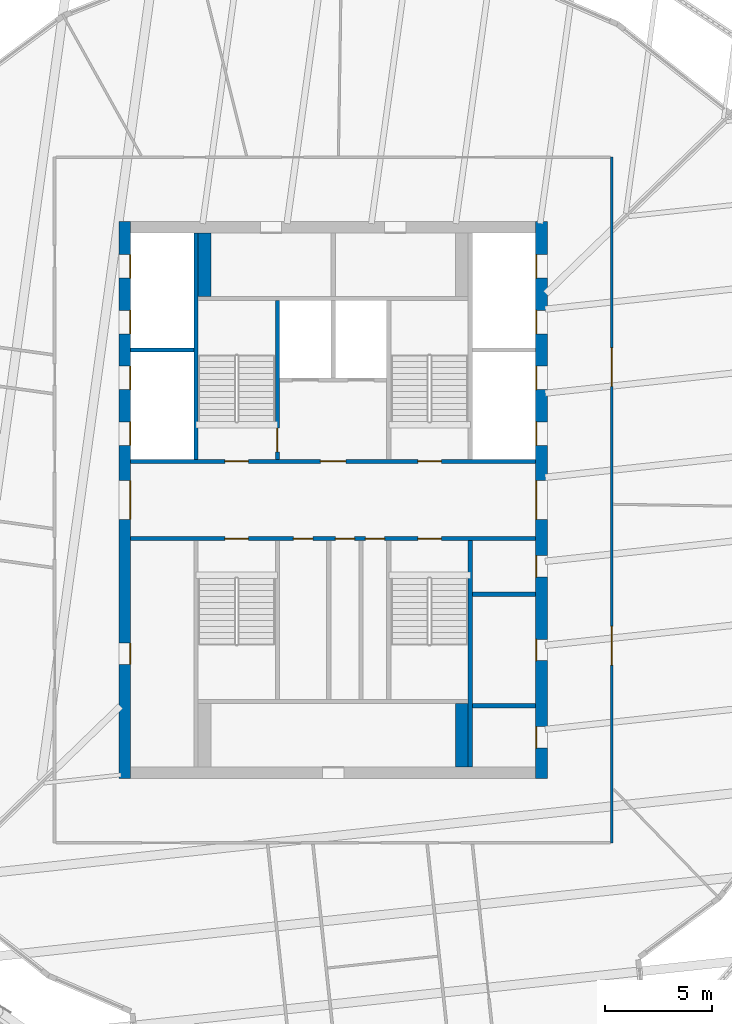
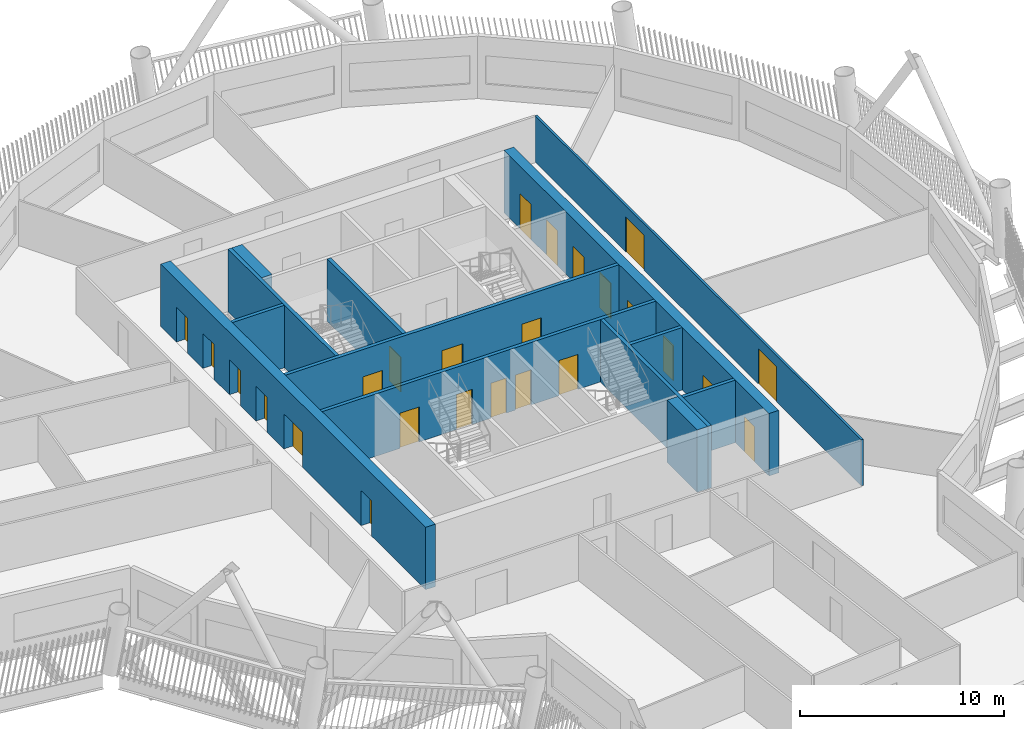
# One storey, part 5 of 21: 25 doors, 13 walls, 25 openings.
"""IFC4 building model written with IfcOpenShell, lengths in metres."""

from ifc_helpers import new_model, si_unit, direction, frame, frame_2d, origin, place, context, subcontext, project, spatial, rectangle, extrude, material, layer, layer_set, type_object, element, fill, save


model = new_model("IFC4")

# Units and contexts
model_context = context("Model", 3, precision=1e-05, world=origin(), true_north=direction((0.0, 1.0)))
body_context = subcontext(model_context, "Body", "Model", "MODEL_VIEW")
ifc_project = project(units=[si_unit("LENGTHUNIT", "METRE"), si_unit("AREAUNIT", "SQUARE_METRE"), si_unit("VOLUMEUNIT", "CUBIC_METRE"), si_unit("PLANEANGLEUNIT", "RADIAN"), si_unit("MASSUNIT", "GRAM", prefix="KILO")], contexts=[model_context])

# Site, building, storey
site_placement = place(None, origin())
site = spatial("IfcSite", under=ifc_project, at=site_placement, CompositionType="ELEMENT")
building_placement = place(site_placement, origin())
building = spatial("IfcBuilding", under=site, at=building_placement, Name="Tarsis Ring Headquarters", CompositionType="ELEMENT")
storey_placement = place(building_placement, frame((0.0, 0.0, 255.199951171875)))
storey = spatial("IfcBuildingStorey", under=building, at=storey_placement, Name="L59", CompositionType="ELEMENT", Elevation=255.199951171875)

# Walls
ifc_material_1 = material(Name="Blockwork", Category="masonry")
ifc_layer_1 = layer(ifc_material_1, 0.199951171875)
ifc_layer_set_1 = layer_set([ifc_layer_1], Name="Core blockwork wall 200")
wall_type_1 = type_object("IfcWallType", Name="Core blockwork wall 200", PredefinedType="PARTITIONING", material=ifc_layer_set_1)
for number, where, z_axis, x_axis, name in (
    (1, (6.5, -9.60009765625, 0.0), (0.0, 0.0, 1.0), (1.0, 0.0, 0.0), "Core partition ED1"),
    (2, (6.5, -4.39990234375, 0.0), (0.0, 0.0, 1.0), (1.0, 0.0, 0.0), "Core partition ED3"),
):
    element("IfcWall", number, at=place(storey_placement, frame(where, z_axis=z_axis, x_axis=x_axis)), inside=storey, type_object=wall_type_1, Name=name, PredefinedType="PARTITIONING", context=body_context, shape_type="SweptSolid", body=[
        extrude(rectangle(XDim=2.949951171875, YDim=0.199951171875, at=frame_2d((1.47509765625, 0.0))), origin(), (0.0, 0.0, 1.0), 3.739990234375),
    ])

# Wall, openings, doors
ifc_material_2 = material(Name="Concrete C50/60", Category="concrete")
ifc_layer_2 = layer(ifc_material_2, 0.550048828125)
ifc_layer_set_2 = layer_set([ifc_layer_2], Name="Core wall 550 C50/60")
wall_type_2 = type_object("IfcWallType", Name="Core wall 550 C50/60", PredefinedType="SHEAR", material=ifc_layer_set_2)
wall_1_placement = place(storey_placement, frame((-9.72509765625, -13.0, 0.0), z_axis=(0.0, 0.0, 1.0), x_axis=(0.0, 1.0, 0.0)))
wall_1 = element("IfcWall", 3, at=wall_1_placement, inside=storey, type_object=wall_type_2, Name="Core wall OW", PredefinedType="SHEAR", context=body_context, shape_type="SweptSolid", body=[
    extrude(rectangle(XDim=26.0, YDim=0.550048828125, at=frame_2d((13.0, 0.0))), origin(), (0.0, 0.0, 1.0), 3.739990234375),
])
opening_1_placement = place(wall_1_placement, frame((5.324951171875, 0.0, 0.0)))
opening_1 = element("IfcOpeningElement", 4, at=opening_1_placement, cuts=wall_1, Name="Opening L59-C01", PredefinedType="OPENING", context=body_context, shape_type="SweptSolid", body=[
    extrude(rectangle(XDim=1.0, YDim=2.10009765625, at=frame_2d((0.5, 1.050048828125))), frame((0.0, 0.284912109375, 0.0), z_axis=(0.0, -1.0, 0.0), x_axis=(1.0, 0.0, 0.0)), (0.0, 0.0, 1.0), 0.570068359375),
])
opening_2_placement = place(wall_1_placement, frame((12.10009765625, 0.0, 0.0)))
opening_2 = element("IfcOpeningElement", 5, at=opening_2_placement, cuts=wall_1, Name="Opening L59-C02", PredefinedType="OPENING", context=body_context, shape_type="SweptSolid", body=[
    extrude(rectangle(XDim=1.800048828125, YDim=2.10009765625, at=frame_2d((0.89990234375, 1.050048828125))), frame((0.0, 0.284912109375, 0.0), z_axis=(0.0, -1.0, 0.0), x_axis=(1.0, 0.0, 0.0)), (0.0, 0.0, 1.0), 0.570068359375),
])
opening_3_placement = place(wall_1_placement, frame((15.550048828125, 0.0, 0.0)))
opening_3 = element("IfcOpeningElement", 6, at=opening_3_placement, cuts=wall_1, Name="Opening LD-HR1", PredefinedType="OPENING", context=body_context, shape_type="SweptSolid", body=[
    extrude(rectangle(XDim=1.10009765625, YDim=2.10009765625, at=frame_2d((0.550048828125, 1.050048828125))), frame((0.0, 0.284912109375, 0.0), z_axis=(0.0, -1.0, 0.0), x_axis=(1.0, 0.0, 0.0)), (0.0, 0.0, 1.0), 0.570068359375),
])
opening_4_placement = place(wall_1_placement, frame((18.14990234375, 0.0, 0.0)))
opening_4 = element("IfcOpeningElement", 7, at=opening_4_placement, cuts=wall_1, Name="Opening LD-HR2", PredefinedType="OPENING", context=body_context, shape_type="SweptSolid", body=[
    extrude(rectangle(XDim=1.10009765625, YDim=2.10009765625, at=frame_2d((0.550048828125, 1.050048828125))), frame((0.0, 0.284912109375, 0.0), z_axis=(0.0, -1.0, 0.0), x_axis=(1.0, 0.0, 0.0)), (0.0, 0.0, 1.0), 0.570068359375),
])
opening_5_placement = place(wall_1_placement, frame((20.75, 0.0, 0.0)))
opening_5 = element("IfcOpeningElement", 8, at=opening_5_placement, cuts=wall_1, Name="Opening LD-HR3", PredefinedType="OPENING", context=body_context, shape_type="SweptSolid", body=[
    extrude(rectangle(XDim=1.10009765625, YDim=2.10009765625, at=frame_2d((0.550048828125, 1.050048828125))), frame((0.0, 0.284912109375, 0.0), z_axis=(0.0, -1.0, 0.0), x_axis=(1.0, 0.0, 0.0)), (0.0, 0.0, 1.0), 0.570068359375),
])
opening_6_placement = place(wall_1_placement, frame((23.35009765625, 0.0, 0.0)))
opening_6 = element("IfcOpeningElement", 9, at=opening_6_placement, cuts=wall_1, Name="Opening LD-HR4", PredefinedType="OPENING", context=body_context, shape_type="SweptSolid", body=[
    extrude(rectangle(XDim=1.10009765625, YDim=2.10009765625, at=frame_2d((0.550048828125, 1.050048828125))), frame((0.0, 0.284912109375, 0.0), z_axis=(0.0, -1.0, 0.0), x_axis=(1.0, 0.0, 0.0)), (0.0, 0.0, 1.0), 0.570068359375),
])
ifc_material_3 = material(Name="Steel S355", Category="steel")
door_type_1 = type_object("IfcDoorType", Name="Core entry door 1800x2100", OperationType="DOUBLE_DOOR_SINGLE_SWING", PredefinedType="DOOR", material=ifc_material_3)
door_1_placement = place(opening_2_placement, origin())
door_1 = element("IfcDoor", 10, at=door_1_placement, inside=storey, type_object=door_type_1, Name="Core entry door L59", OperationType="DOUBLE_DOOR_SINGLE_SWING", OverallHeight=2.10009765625, OverallWidth=1.800048828125, PredefinedType="DOOR", context=body_context, shape_type="SweptSolid", body=[
    extrude(rectangle(XDim=1.800048828125, YDim=2.10009765625, at=frame_2d((0.89990234375, 1.050048828125))), frame((0.0, -0.22509765625, 0.0), z_axis=(0.0, -1.0, 0.0), x_axis=(1.0, 0.0, 0.0)), (0.0, 0.0, 1.0), 0.050048828125),
])
fill(opening_2, door_1)
door_type_2 = type_object("IfcDoorType", Name="Core room door 1000x2100", OperationType="SINGLE_SWING_LEFT", PredefinedType="DOOR", material=ifc_material_3)
door_2_placement = place(opening_1_placement, origin())
door_2 = element("IfcDoor", 11, at=door_2_placement, inside=storey, type_object=door_type_2, Name="Core room door L59", OperationType="SINGLE_SWING_LEFT", OverallHeight=2.10009765625, OverallWidth=1.0, PredefinedType="DOOR", context=body_context, shape_type="SweptSolid", body=[
    extrude(rectangle(XDim=1.0, YDim=2.10009765625, at=frame_2d((0.5, 1.050048828125))), frame((0.0, -0.22509765625, 0.0), z_axis=(0.0, -1.0, 0.0), x_axis=(1.0, 0.0, 0.0)), (0.0, 0.0, 1.0), 0.050048828125),
])
fill(opening_1, door_2)
door_type_3 = type_object("IfcDoorType", Name="Landing door 1100x2100", OperationType="SLIDING_TO_LEFT", PredefinedType="DOOR", material=ifc_material_3)
door_3_placement = place(opening_3_placement, origin())
door_3 = element("IfcDoor", 12, at=door_3_placement, inside=storey, type_object=door_type_3, Name="Landing door HR1 L59", OperationType="SLIDING_TO_LEFT", OverallHeight=2.10009765625, OverallWidth=1.10009765625, PredefinedType="DOOR", context=body_context, shape_type="SweptSolid", body=[
    extrude(rectangle(XDim=1.10009765625, YDim=2.10009765625, at=frame_2d((0.550048828125, 1.050048828125))), frame((0.0, -0.22509765625, 0.0), z_axis=(0.0, -1.0, 0.0), x_axis=(1.0, 0.0, 0.0)), (0.0, 0.0, 1.0), 0.050048828125),
])
fill(opening_3, door_3)
door_4_placement = place(opening_4_placement, origin())
door_4 = element("IfcDoor", 13, at=door_4_placement, inside=storey, type_object=door_type_3, Name="Landing door HR2 L59", OperationType="SLIDING_TO_LEFT", OverallHeight=2.10009765625, OverallWidth=1.10009765625, PredefinedType="DOOR", context=body_context, shape_type="SweptSolid", body=[
    extrude(rectangle(XDim=1.10009765625, YDim=2.10009765625, at=frame_2d((0.550048828125, 1.050048828125))), frame((0.0, -0.22509765625, 0.0), z_axis=(0.0, -1.0, 0.0), x_axis=(1.0, 0.0, 0.0)), (0.0, 0.0, 1.0), 0.050048828125),
])
fill(opening_4, door_4)
door_5_placement = place(opening_5_placement, origin())
door_5 = element("IfcDoor", 14, at=door_5_placement, inside=storey, type_object=door_type_3, Name="Landing door HR3 L59", OperationType="SLIDING_TO_LEFT", OverallHeight=2.10009765625, OverallWidth=1.10009765625, PredefinedType="DOOR", context=body_context, shape_type="SweptSolid", body=[
    extrude(rectangle(XDim=1.10009765625, YDim=2.10009765625, at=frame_2d((0.550048828125, 1.050048828125))), frame((0.0, -0.22509765625, 0.0), z_axis=(0.0, -1.0, 0.0), x_axis=(1.0, 0.0, 0.0)), (0.0, 0.0, 1.0), 0.050048828125),
])
fill(opening_5, door_5)
door_6_placement = place(opening_6_placement, origin())
door_6 = element("IfcDoor", 15, at=door_6_placement, inside=storey, type_object=door_type_3, Name="Landing door HR4 L59", OperationType="SLIDING_TO_LEFT", OverallHeight=2.10009765625, OverallWidth=1.10009765625, PredefinedType="DOOR", context=body_context, shape_type="SweptSolid", body=[
    extrude(rectangle(XDim=1.10009765625, YDim=2.10009765625, at=frame_2d((0.550048828125, 1.050048828125))), frame((0.0, -0.22509765625, 0.0), z_axis=(0.0, -1.0, 0.0), x_axis=(1.0, 0.0, 0.0)), (0.0, 0.0, 1.0), 0.050048828125),
])
fill(opening_6, door_6)

wall_2_placement = place(storey_placement, frame((9.72509765625, -13.0, 0.0), z_axis=(0.0, 0.0, 1.0), x_axis=(0.0, 1.0, 0.0)))
wall_2 = element("IfcWall", 16, at=wall_2_placement, inside=storey, type_object=wall_type_2, Name="Core wall OE", PredefinedType="SHEAR", context=body_context, shape_type="SweptSolid", body=[
    extrude(rectangle(XDim=26.0, YDim=0.550048828125, at=frame_2d((13.0, 0.0))), origin(), (0.0, 0.0, 1.0), 3.739990234375),
])
opening_7_placement = place(wall_2_placement, frame((1.425048828125, 0.0, 0.0)))
opening_7 = element("IfcOpeningElement", 17, at=opening_7_placement, cuts=wall_2, Name="Opening L59-C07", PredefinedType="OPENING", context=body_context, shape_type="SweptSolid", body=[
    extrude(rectangle(XDim=1.0, YDim=2.10009765625, at=frame_2d((0.5, 1.050048828125))), frame((0.0, 0.284912109375, 0.0), z_axis=(0.0, -1.0, 0.0), x_axis=(1.0, 0.0, 0.0)), (0.0, 0.0, 1.0), 0.570068359375),
])
opening_8_placement = place(wall_2_placement, frame((5.5, 0.0, 0.0)))
opening_8 = element("IfcOpeningElement", 18, at=opening_8_placement, cuts=wall_2, Name="Opening L59-C08", PredefinedType="OPENING", context=body_context, shape_type="SweptSolid", body=[
    extrude(rectangle(XDim=1.0, YDim=2.10009765625, at=frame_2d((0.5, 1.050048828125))), frame((0.0, 0.284912109375, 0.0), z_axis=(0.0, -1.0, 0.0), x_axis=(1.0, 0.0, 0.0)), (0.0, 0.0, 1.0), 0.570068359375),
])
opening_9_placement = place(wall_2_placement, frame((9.39990234375, 0.0, 0.0)))
opening_9 = element("IfcOpeningElement", 19, at=opening_9_placement, cuts=wall_2, Name="Opening L59-C09", PredefinedType="OPENING", context=body_context, shape_type="SweptSolid", body=[
    extrude(rectangle(XDim=1.0, YDim=2.10009765625, at=frame_2d((0.5, 1.050048828125))), frame((0.0, 0.284912109375, 0.0), z_axis=(0.0, -1.0, 0.0), x_axis=(1.0, 0.0, 0.0)), (0.0, 0.0, 1.0), 0.570068359375),
])
opening_10_placement = place(wall_2_placement, frame((12.10009765625, 0.0, 0.0)))
opening_10 = element("IfcOpeningElement", 20, at=opening_10_placement, cuts=wall_2, Name="Opening L59-C10", PredefinedType="OPENING", context=body_context, shape_type="SweptSolid", body=[
    extrude(rectangle(XDim=1.800048828125, YDim=2.10009765625, at=frame_2d((0.89990234375, 1.050048828125))), frame((0.0, 0.284912109375, 0.0), z_axis=(0.0, -1.0, 0.0), x_axis=(1.0, 0.0, 0.0)), (0.0, 0.0, 1.0), 0.570068359375),
])
opening_11_placement = place(wall_2_placement, frame((15.550048828125, 0.0, 0.0)))
opening_11 = element("IfcOpeningElement", 21, at=opening_11_placement, cuts=wall_2, Name="Opening LD-HR5", PredefinedType="OPENING", context=body_context, shape_type="SweptSolid", body=[
    extrude(rectangle(XDim=1.10009765625, YDim=2.10009765625, at=frame_2d((0.550048828125, 1.050048828125))), frame((0.0, 0.284912109375, 0.0), z_axis=(0.0, -1.0, 0.0), x_axis=(1.0, 0.0, 0.0)), (0.0, 0.0, 1.0), 0.570068359375),
])
opening_12_placement = place(wall_2_placement, frame((18.14990234375, 0.0, 0.0)))
opening_12 = element("IfcOpeningElement", 22, at=opening_12_placement, cuts=wall_2, Name="Opening LD-HR6", PredefinedType="OPENING", context=body_context, shape_type="SweptSolid", body=[
    extrude(rectangle(XDim=1.10009765625, YDim=2.10009765625, at=frame_2d((0.550048828125, 1.050048828125))), frame((0.0, 0.284912109375, 0.0), z_axis=(0.0, -1.0, 0.0), x_axis=(1.0, 0.0, 0.0)), (0.0, 0.0, 1.0), 0.570068359375),
])
opening_13_placement = place(wall_2_placement, frame((20.75, 0.0, 0.0)))
opening_13 = element("IfcOpeningElement", 23, at=opening_13_placement, cuts=wall_2, Name="Opening LD-HR7", PredefinedType="OPENING", context=body_context, shape_type="SweptSolid", body=[
    extrude(rectangle(XDim=1.10009765625, YDim=2.10009765625, at=frame_2d((0.550048828125, 1.050048828125))), frame((0.0, 0.284912109375, 0.0), z_axis=(0.0, -1.0, 0.0), x_axis=(1.0, 0.0, 0.0)), (0.0, 0.0, 1.0), 0.570068359375),
])
opening_14_placement = place(wall_2_placement, frame((23.35009765625, 0.0, 0.0)))
opening_14 = element("IfcOpeningElement", 24, at=opening_14_placement, cuts=wall_2, Name="Opening LD-HR8", PredefinedType="OPENING", context=body_context, shape_type="SweptSolid", body=[
    extrude(rectangle(XDim=1.10009765625, YDim=2.10009765625, at=frame_2d((0.550048828125, 1.050048828125))), frame((0.0, 0.284912109375, 0.0), z_axis=(0.0, -1.0, 0.0), x_axis=(1.0, 0.0, 0.0)), (0.0, 0.0, 1.0), 0.570068359375),
])
door_7_placement = place(opening_10_placement, origin())
door_7 = element("IfcDoor", 25, at=door_7_placement, inside=storey, type_object=door_type_1, Name="Core entry door L59", OperationType="DOUBLE_DOOR_SINGLE_SWING", OverallHeight=2.10009765625, OverallWidth=1.800048828125, PredefinedType="DOOR", context=body_context, shape_type="SweptSolid", body=[
    extrude(rectangle(XDim=1.800048828125, YDim=2.10009765625, at=frame_2d((0.89990234375, 1.050048828125))), frame((0.0, 0.27490234375, 0.0), z_axis=(0.0, -1.0, 0.0), x_axis=(1.0, 0.0, 0.0)), (0.0, 0.0, 1.0), 0.050048828125),
])
fill(opening_10, door_7)
door_8_placement = place(opening_7_placement, origin())
door_8 = element("IfcDoor", 26, at=door_8_placement, inside=storey, type_object=door_type_2, Name="Core room door L59", OperationType="SINGLE_SWING_LEFT", OverallHeight=2.10009765625, OverallWidth=1.0, PredefinedType="DOOR", context=body_context, shape_type="SweptSolid", body=[
    extrude(rectangle(XDim=1.0, YDim=2.10009765625, at=frame_2d((0.5, 1.050048828125))), frame((0.0, 0.27490234375, 0.0), z_axis=(0.0, -1.0, 0.0), x_axis=(1.0, 0.0, 0.0)), (0.0, 0.0, 1.0), 0.050048828125),
])
fill(opening_7, door_8)
door_9_placement = place(opening_8_placement, origin())
door_9 = element("IfcDoor", 27, at=door_9_placement, inside=storey, type_object=door_type_2, Name="Core room door L59", OperationType="SINGLE_SWING_LEFT", OverallHeight=2.10009765625, OverallWidth=1.0, PredefinedType="DOOR", context=body_context, shape_type="SweptSolid", body=[
    extrude(rectangle(XDim=1.0, YDim=2.10009765625, at=frame_2d((0.5, 1.050048828125))), frame((0.0, 0.27490234375, 0.0), z_axis=(0.0, -1.0, 0.0), x_axis=(1.0, 0.0, 0.0)), (0.0, 0.0, 1.0), 0.050048828125),
])
fill(opening_8, door_9)
door_10_placement = place(opening_9_placement, origin())
door_10 = element("IfcDoor", 28, at=door_10_placement, inside=storey, type_object=door_type_2, Name="Core room door L59", OperationType="SINGLE_SWING_LEFT", OverallHeight=2.10009765625, OverallWidth=1.0, PredefinedType="DOOR", context=body_context, shape_type="SweptSolid", body=[
    extrude(rectangle(XDim=1.0, YDim=2.10009765625, at=frame_2d((0.5, 1.050048828125))), frame((0.0, 0.27490234375, 0.0), z_axis=(0.0, -1.0, 0.0), x_axis=(1.0, 0.0, 0.0)), (0.0, 0.0, 1.0), 0.050048828125),
])
fill(opening_9, door_10)
door_11_placement = place(opening_11_placement, origin())
door_11 = element("IfcDoor", 29, at=door_11_placement, inside=storey, type_object=door_type_3, Name="Landing door HR5 L59", OperationType="SLIDING_TO_LEFT", OverallHeight=2.10009765625, OverallWidth=1.10009765625, PredefinedType="DOOR", context=body_context, shape_type="SweptSolid", body=[
    extrude(rectangle(XDim=1.10009765625, YDim=2.10009765625, at=frame_2d((0.550048828125, 1.050048828125))), frame((0.0, 0.27490234375, 0.0), z_axis=(0.0, -1.0, 0.0), x_axis=(1.0, 0.0, 0.0)), (0.0, 0.0, 1.0), 0.050048828125),
])
fill(opening_11, door_11)
door_12_placement = place(opening_12_placement, origin())
door_12 = element("IfcDoor", 30, at=door_12_placement, inside=storey, type_object=door_type_3, Name="Landing door HR6 L59", OperationType="SLIDING_TO_LEFT", OverallHeight=2.10009765625, OverallWidth=1.10009765625, PredefinedType="DOOR", context=body_context, shape_type="SweptSolid", body=[
    extrude(rectangle(XDim=1.10009765625, YDim=2.10009765625, at=frame_2d((0.550048828125, 1.050048828125))), frame((0.0, 0.27490234375, 0.0), z_axis=(0.0, -1.0, 0.0), x_axis=(1.0, 0.0, 0.0)), (0.0, 0.0, 1.0), 0.050048828125),
])
fill(opening_12, door_12)
door_13_placement = place(opening_13_placement, origin())
door_13 = element("IfcDoor", 31, at=door_13_placement, inside=storey, type_object=door_type_3, Name="Landing door HR7 L59", OperationType="SLIDING_TO_LEFT", OverallHeight=2.10009765625, OverallWidth=1.10009765625, PredefinedType="DOOR", context=body_context, shape_type="SweptSolid", body=[
    extrude(rectangle(XDim=1.10009765625, YDim=2.10009765625, at=frame_2d((0.550048828125, 1.050048828125))), frame((0.0, 0.27490234375, 0.0), z_axis=(0.0, -1.0, 0.0), x_axis=(1.0, 0.0, 0.0)), (0.0, 0.0, 1.0), 0.050048828125),
])
fill(opening_13, door_13)
door_14_placement = place(opening_14_placement, origin())
door_14 = element("IfcDoor", 32, at=door_14_placement, inside=storey, type_object=door_type_3, Name="Landing door HR8 L59", OperationType="SLIDING_TO_LEFT", OverallHeight=2.10009765625, OverallWidth=1.10009765625, PredefinedType="DOOR", context=body_context, shape_type="SweptSolid", body=[
    extrude(rectangle(XDim=1.10009765625, YDim=2.10009765625, at=frame_2d((0.550048828125, 1.050048828125))), frame((0.0, 0.27490234375, 0.0), z_axis=(0.0, -1.0, 0.0), x_axis=(1.0, 0.0, 0.0)), (0.0, 0.0, 1.0), 0.050048828125),
])
fill(opening_14, door_14)

ifc_material_4 = material(Name="Gypsum board on steel studs", Category="steel")
ifc_layer_3 = layer(ifc_material_4, 0.125)
ifc_layer_set_3 = layer_set([ifc_layer_3], Name="FL partition 125 EI 60 H2770")
wall_type_3 = type_object("IfcWallType", Name="FL partition 125 EI 60 H2770", PredefinedType="PARTITIONING", material=ifc_layer_set_3)
wall_3_placement = place(storey_placement, frame((13.0, -16.0, 0.0), z_axis=(0.0, 0.0, 1.0), x_axis=(0.0, 1.0, 0.0)))
wall_3 = element("IfcWall", 33, at=wall_3_placement, inside=storey, type_object=wall_type_3, Name="Partition PW1", PredefinedType="PARTITIONING", context=body_context, shape_type="SweptSolid", body=[
    extrude(rectangle(XDim=32.0, YDim=0.125, at=frame_2d((16.0, 0.0))), origin(), (0.0, 0.0, 1.0), 2.77001953125),
])
opening_15_placement = place(wall_3_placement, frame((21.303466796875, 0.0, 0.0)))
opening_15 = element("IfcOpeningElement", 34, at=opening_15_placement, cuts=wall_3, Name="Opening D59.07", PredefinedType="OPENING", context=body_context, shape_type="SweptSolid", body=[
    extrude(rectangle(XDim=1.800048828125, YDim=2.10009765625, at=frame_2d((0.89990234375, 1.050048828125))), frame((0.0, 0.072509765625, 0.0), z_axis=(0.0, -1.0, 0.0), x_axis=(1.0, 0.0, 0.0)), (0.0, 0.0, 1.0), 0.14501953125),
])
opening_16_placement = place(wall_3_placement, frame((8.29736328125, 0.0, 0.0)))
opening_16 = element("IfcOpeningElement", 35, at=opening_16_placement, cuts=wall_3, Name="Opening D59.08", PredefinedType="OPENING", context=body_context, shape_type="SweptSolid", body=[
    extrude(rectangle(XDim=1.800048828125, YDim=2.10009765625, at=frame_2d((0.89990234375, 1.050048828125))), frame((0.0, 0.072509765625, 0.0), z_axis=(0.0, -1.0, 0.0), x_axis=(1.0, 0.0, 0.0)), (0.0, 0.0, 1.0), 0.14501953125),
])
ifc_material_5 = material(Name="Fire-rated timber door leaf in steel frame", Category="steel")
door_type_4 = type_object("IfcDoorType", Name="FL door FD60-1800", OperationType="DOUBLE_DOOR_SINGLE_SWING", PredefinedType="DOOR", material=ifc_material_5)
door_15_placement = place(opening_15_placement, origin())
door_15 = element("IfcDoor", 36, at=door_15_placement, inside=storey, type_object=door_type_4, Name="Door D59.07", OperationType="DOUBLE_DOOR_SINGLE_SWING", OverallHeight=2.10009765625, OverallWidth=1.800048828125, PredefinedType="DOOR", context=body_context, shape_type="SweptSolid", body=[
    extrude(rectangle(XDim=1.800048828125, YDim=2.10009765625, at=frame_2d((0.89990234375, 1.050048828125))), frame((0.0, 0.02490234375, 0.0), z_axis=(0.0, -1.0, 0.0), x_axis=(1.0, 0.0, 0.0)), (0.0, 0.0, 1.0), 0.050048828125),
])
fill(opening_15, door_15)
door_16_placement = place(opening_16_placement, origin())
door_16 = element("IfcDoor", 37, at=door_16_placement, inside=storey, type_object=door_type_4, Name="Door D59.08", OperationType="DOUBLE_DOOR_SINGLE_SWING", OverallHeight=2.10009765625, OverallWidth=1.800048828125, PredefinedType="DOOR", context=body_context, shape_type="SweptSolid", body=[
    extrude(rectangle(XDim=1.800048828125, YDim=2.10009765625, at=frame_2d((0.89990234375, 1.050048828125))), frame((0.0, 0.02490234375, 0.0), z_axis=(0.0, -1.0, 0.0), x_axis=(1.0, 0.0, 0.0)), (0.0, 0.0, 1.0), 0.050048828125),
])
fill(opening_16, door_16)

# Walls
ifc_material_6 = material(Name="Concrete C32/40", Category="concrete")
ifc_layer_4 = layer(ifc_material_6, 0.60009765625)
ifc_layer_set_4 = layer_set([ifc_layer_4], Name="Shaft end wall 600 C32/40")
wall_type_4 = type_object("IfcWallType", Name="Shaft end wall 600 C32/40", PredefinedType="SOLIDWALL", material=ifc_layer_set_4)
for number, where, z_axis, x_axis, name in (
    (38, (-6.0, 9.5, 0.0), (0.0, 0.0, 1.0), (0.0, 1.0, 0.0), "Core shaft wall NNE1"),
    (39, (6.0, -12.449951171875, 0.0), (0.0, 0.0, 1.0), (0.0, 1.0, 0.0), "Core shaft wall SNE2"),
):
    element("IfcWall", number, at=place(storey_placement, frame(where, z_axis=z_axis, x_axis=x_axis)), inside=storey, type_object=wall_type_4, Name=name, PredefinedType="SOLIDWALL", context=body_context, shape_type="SweptSolid", body=[
        extrude(rectangle(XDim=2.949951171875, YDim=0.60009765625, at=frame_2d((1.47509765625, 0.0))), origin(), (0.0, 0.0, 1.0), 3.739990234375),
    ])

# Wall, openings, doors
ifc_layer_5 = layer(ifc_material_6, 0.199951171875)
ifc_layer_set_5 = layer_set([ifc_layer_5], Name="Shaft wall 200 C32/40")
wall_type_5 = type_object("IfcWallType", Name="Shaft wall 200 C32/40", PredefinedType="SOLIDWALL", material=ifc_layer_set_5)
wall_4_placement = place(storey_placement, frame((-9.449951171875, 1.800048828125, 0.0), z_axis=(0.0, 0.0, 1.0), x_axis=(1.0, 0.0, 0.0)))
wall_4 = element("IfcWall", 40, at=wall_4_placement, inside=storey, type_object=wall_type_5, Name="Core shaft wall CN", PredefinedType="SOLIDWALL", context=body_context, shape_type="SweptSolid", body=[
    extrude(rectangle(XDim=18.89990234375, YDim=0.199951171875, at=frame_2d((9.449951171875, 0.0))), origin(), (0.0, 0.0, 1.0), 3.739990234375),
])
opening_17_placement = place(wall_4_placement, frame((4.39990234375, 0.0, 0.0)))
opening_17 = element("IfcOpeningElement", 41, at=opening_17_placement, cuts=wall_4, Name="Opening L59-C18", PredefinedType="OPENING", context=body_context, shape_type="SweptSolid", body=[
    extrude(rectangle(XDim=1.10009765625, YDim=2.10009765625, at=frame_2d((0.550048828125, 1.050048828125))), frame((0.0, 0.10986328125, 0.0), z_axis=(0.0, -1.0, 0.0), x_axis=(1.0, 0.0, 0.0)), (0.0, 0.0, 1.0), 0.219970703125),
])
opening_18_placement = place(wall_4_placement, frame((8.85009765625, 0.0, 0.0)))
opening_18 = element("IfcOpeningElement", 42, at=opening_18_placement, cuts=wall_4, Name="Opening L59-C19", PredefinedType="OPENING", context=body_context, shape_type="SweptSolid", body=[
    extrude(rectangle(XDim=1.199951171875, YDim=2.10009765625, at=frame_2d((0.60009765625, 1.050048828125))), frame((0.0, 0.10986328125, 0.0), z_axis=(0.0, -1.0, 0.0), x_axis=(1.0, 0.0, 0.0)), (0.0, 0.0, 1.0), 0.219970703125),
])
opening_19_placement = place(wall_4_placement, frame((13.39990234375, 0.0, 0.0)))
opening_19 = element("IfcOpeningElement", 43, at=opening_19_placement, cuts=wall_4, Name="Opening L59-C20", PredefinedType="OPENING", context=body_context, shape_type="SweptSolid", body=[
    extrude(rectangle(XDim=1.10009765625, YDim=2.10009765625, at=frame_2d((0.550048828125, 1.050048828125))), frame((0.0, 0.10986328125, 0.0), z_axis=(0.0, -1.0, 0.0), x_axis=(1.0, 0.0, 0.0)), (0.0, 0.0, 1.0), 0.219970703125),
])
door_type_5 = type_object("IfcDoorType", Name="Firefighting lobby door 1200x2100", OperationType="DOUBLE_DOOR_SINGLE_SWING", PredefinedType="DOOR", material=ifc_material_3)
door_17_placement = place(opening_18_placement, origin())
door_17 = element("IfcDoor", 44, at=door_17_placement, inside=storey, type_object=door_type_5, Name="Firefighting lobby door L59", OperationType="DOUBLE_DOOR_SINGLE_SWING", OverallHeight=2.10009765625, OverallWidth=1.199951171875, PredefinedType="DOOR", context=body_context, shape_type="SweptSolid", body=[
    extrude(rectangle(XDim=1.199951171875, YDim=2.10009765625, at=frame_2d((0.60009765625, 1.050048828125))), frame((0.0, 0.02490234375, 0.0), z_axis=(0.0, -1.0, 0.0), x_axis=(1.0, 0.0, 0.0)), (0.0, 0.0, 1.0), 0.050048828125),
])
fill(opening_18, door_17)
door_type_6 = type_object("IfcDoorType", Name="Stair door 1100x2100", OperationType="SINGLE_SWING_LEFT", PredefinedType="DOOR", material=ifc_material_3)
door_18_placement = place(opening_17_placement, origin())
door_18 = element("IfcDoor", 45, at=door_18_placement, inside=storey, type_object=door_type_6, Name="Stair door L59", OperationType="SINGLE_SWING_LEFT", OverallHeight=2.10009765625, OverallWidth=1.10009765625, PredefinedType="DOOR", context=body_context, shape_type="SweptSolid", body=[
    extrude(rectangle(XDim=1.10009765625, YDim=2.10009765625, at=frame_2d((0.550048828125, 1.050048828125))), frame((0.0, 0.02490234375, 0.0), z_axis=(0.0, -1.0, 0.0), x_axis=(1.0, 0.0, 0.0)), (0.0, 0.0, 1.0), 0.050048828125),
])
fill(opening_17, door_18)
door_19_placement = place(opening_19_placement, origin())
door_19 = element("IfcDoor", 46, at=door_19_placement, inside=storey, type_object=door_type_6, Name="Stair door L59", OperationType="SINGLE_SWING_LEFT", OverallHeight=2.10009765625, OverallWidth=1.10009765625, PredefinedType="DOOR", context=body_context, shape_type="SweptSolid", body=[
    extrude(rectangle(XDim=1.10009765625, YDim=2.10009765625, at=frame_2d((0.550048828125, 1.050048828125))), frame((0.0, 0.02490234375, 0.0), z_axis=(0.0, -1.0, 0.0), x_axis=(1.0, 0.0, 0.0)), (0.0, 0.0, 1.0), 0.050048828125),
])
fill(opening_19, door_19)

wall_5_placement = place(storey_placement, frame((-9.449951171875, -1.800048828125, 0.0), z_axis=(0.0, 0.0, 1.0), x_axis=(1.0, 0.0, 0.0)))
wall_5 = element("IfcWall", 47, at=wall_5_placement, inside=storey, type_object=wall_type_5, Name="Core shaft wall CS", PredefinedType="SOLIDWALL", context=body_context, shape_type="SweptSolid", body=[
    extrude(rectangle(XDim=18.89990234375, YDim=0.199951171875, at=frame_2d((9.449951171875, 0.0))), origin(), (0.0, 0.0, 1.0), 3.739990234375),
])
opening_20_placement = place(wall_5_placement, frame((4.39990234375, 0.0, 0.0)))
opening_20 = element("IfcOpeningElement", 48, at=opening_20_placement, cuts=wall_5, Name="Opening L59-C21", PredefinedType="OPENING", context=body_context, shape_type="SweptSolid", body=[
    extrude(rectangle(XDim=1.10009765625, YDim=2.10009765625, at=frame_2d((0.550048828125, 1.050048828125))), frame((0.0, 0.10986328125, 0.0), z_axis=(0.0, -1.0, 0.0), x_axis=(1.0, 0.0, 0.0)), (0.0, 0.0, 1.0), 0.219970703125),
])
opening_21_placement = place(wall_5_placement, frame((7.60009765625, 0.0, 0.0)))
opening_21 = element("IfcOpeningElement", 49, at=opening_21_placement, cuts=wall_5, Name="Opening L59-C22", PredefinedType="OPENING", context=body_context, shape_type="SweptSolid", body=[
    extrude(rectangle(XDim=0.89990234375, YDim=2.10009765625, at=frame_2d((0.449951171875, 1.050048828125))), frame((0.0, 0.10986328125, 0.0), z_axis=(0.0, -1.0, 0.0), x_axis=(1.0, 0.0, 0.0)), (0.0, 0.0, 1.0), 0.219970703125),
])
opening_22_placement = place(wall_5_placement, frame((9.550048828125, 0.0, 0.0)))
opening_22 = element("IfcOpeningElement", 50, at=opening_22_placement, cuts=wall_5, Name="Opening L59-C23", PredefinedType="OPENING", context=body_context, shape_type="SweptSolid", body=[
    extrude(rectangle(XDim=0.89990234375, YDim=2.10009765625, at=frame_2d((0.449951171875, 1.050048828125))), frame((0.0, 0.10986328125, 0.0), z_axis=(0.0, -1.0, 0.0), x_axis=(1.0, 0.0, 0.0)), (0.0, 0.0, 1.0), 0.219970703125),
])
opening_23_placement = place(wall_5_placement, frame((10.949951171875, 0.0, 0.0)))
opening_23 = element("IfcOpeningElement", 51, at=opening_23_placement, cuts=wall_5, Name="Opening L59-C24", PredefinedType="OPENING", context=body_context, shape_type="SweptSolid", body=[
    extrude(rectangle(XDim=0.89990234375, YDim=2.10009765625, at=frame_2d((0.449951171875, 1.050048828125))), frame((0.0, 0.10986328125, 0.0), z_axis=(0.0, -1.0, 0.0), x_axis=(1.0, 0.0, 0.0)), (0.0, 0.0, 1.0), 0.219970703125),
])
opening_24_placement = place(wall_5_placement, frame((13.39990234375, 0.0, 0.0)))
opening_24 = element("IfcOpeningElement", 52, at=opening_24_placement, cuts=wall_5, Name="Opening L59-C25", PredefinedType="OPENING", context=body_context, shape_type="SweptSolid", body=[
    extrude(rectangle(XDim=1.10009765625, YDim=2.10009765625, at=frame_2d((0.550048828125, 1.050048828125))), frame((0.0, 0.10986328125, 0.0), z_axis=(0.0, -1.0, 0.0), x_axis=(1.0, 0.0, 0.0)), (0.0, 0.0, 1.0), 0.219970703125),
])
door_20_placement = place(opening_20_placement, origin())
door_20 = element("IfcDoor", 53, at=door_20_placement, inside=storey, type_object=door_type_6, Name="Stair door L59", OperationType="SINGLE_SWING_LEFT", OverallHeight=2.10009765625, OverallWidth=1.10009765625, PredefinedType="DOOR", context=body_context, shape_type="SweptSolid", body=[
    extrude(rectangle(XDim=1.10009765625, YDim=2.10009765625, at=frame_2d((0.550048828125, 1.050048828125))), frame((0.0, 0.02490234375, 0.0), z_axis=(0.0, -1.0, 0.0), x_axis=(1.0, 0.0, 0.0)), (0.0, 0.0, 1.0), 0.050048828125),
])
fill(opening_20, door_20)
door_21_placement = place(opening_24_placement, origin())
door_21 = element("IfcDoor", 54, at=door_21_placement, inside=storey, type_object=door_type_6, Name="Stair door L59", OperationType="SINGLE_SWING_LEFT", OverallHeight=2.10009765625, OverallWidth=1.10009765625, PredefinedType="DOOR", context=body_context, shape_type="SweptSolid", body=[
    extrude(rectangle(XDim=1.10009765625, YDim=2.10009765625, at=frame_2d((0.550048828125, 1.050048828125))), frame((0.0, 0.02490234375, 0.0), z_axis=(0.0, -1.0, 0.0), x_axis=(1.0, 0.0, 0.0)), (0.0, 0.0, 1.0), 0.050048828125),
])
fill(opening_24, door_21)
door_type_7 = type_object("IfcDoorType", Name="WC door 900x2100", OperationType="SINGLE_SWING_LEFT", PredefinedType="DOOR", material=ifc_material_3)
door_22_placement = place(opening_21_placement, origin())
door_22 = element("IfcDoor", 55, at=door_22_placement, inside=storey, type_object=door_type_7, Name="WC door L59", OperationType="SINGLE_SWING_LEFT", OverallHeight=2.10009765625, OverallWidth=0.89990234375, PredefinedType="DOOR", context=body_context, shape_type="SweptSolid", body=[
    extrude(rectangle(XDim=0.89990234375, YDim=2.10009765625, at=frame_2d((0.449951171875, 1.050048828125))), frame((0.0, 0.02490234375, 0.0), z_axis=(0.0, -1.0, 0.0), x_axis=(1.0, 0.0, 0.0)), (0.0, 0.0, 1.0), 0.050048828125),
])
fill(opening_21, door_22)
door_23_placement = place(opening_22_placement, origin())
door_23 = element("IfcDoor", 56, at=door_23_placement, inside=storey, type_object=door_type_7, Name="WC door L59", OperationType="SINGLE_SWING_LEFT", OverallHeight=2.10009765625, OverallWidth=0.89990234375, PredefinedType="DOOR", context=body_context, shape_type="SweptSolid", body=[
    extrude(rectangle(XDim=0.89990234375, YDim=2.10009765625, at=frame_2d((0.449951171875, 1.050048828125))), frame((0.0, 0.02490234375, 0.0), z_axis=(0.0, -1.0, 0.0), x_axis=(1.0, 0.0, 0.0)), (0.0, 0.0, 1.0), 0.050048828125),
])
fill(opening_22, door_23)
door_24_placement = place(opening_23_placement, origin())
door_24 = element("IfcDoor", 57, at=door_24_placement, inside=storey, type_object=door_type_7, Name="WC door L59", OperationType="SINGLE_SWING_LEFT", OverallHeight=2.10009765625, OverallWidth=0.89990234375, PredefinedType="DOOR", context=body_context, shape_type="SweptSolid", body=[
    extrude(rectangle(XDim=0.89990234375, YDim=2.10009765625, at=frame_2d((0.449951171875, 1.050048828125))), frame((0.0, 0.02490234375, 0.0), z_axis=(0.0, -1.0, 0.0), x_axis=(1.0, 0.0, 0.0)), (0.0, 0.0, 1.0), 0.050048828125),
])
fill(opening_23, door_24)

# Walls
for number, where, z_axis, x_axis, name in (
    (58, (-6.39990234375, 1.89990234375, 0.0), (0.0, 0.0, 1.0), (0.0, 1.0, 0.0), "Core shaft wall WB2"),
    (59, (6.39990234375, -12.449951171875, 0.0), (0.0, 0.0, 1.0), (0.0, 1.0, 0.0), "Core shaft wall EB1"),
):
    element("IfcWall", number, at=place(storey_placement, frame(where, z_axis=z_axis, x_axis=x_axis)), inside=storey, type_object=wall_type_5, Name=name, PredefinedType="SOLIDWALL", context=body_context, shape_type="SweptSolid", body=[
        extrude(rectangle(XDim=10.550048828125, YDim=0.199951171875, at=frame_2d((5.27490234375, 0.0))), origin(), (0.0, 0.0, 1.0), 3.739990234375),
    ])

# Wall, opening, door
wall_6_placement = place(storey_placement, frame((-2.60009765625, 1.89990234375, 0.0), z_axis=(0.0, 0.0, 1.0), x_axis=(0.0, 1.0, 0.0)))
wall_6 = element("IfcWall", 60, at=wall_6_placement, inside=storey, type_object=wall_type_5, Name="Core shaft wall SW1", PredefinedType="SOLIDWALL", context=body_context, shape_type="SweptSolid", body=[
    extrude(rectangle(XDim=7.400146484375, YDim=0.199951171875, at=frame_2d((3.7001953125, 0.0))), origin(), (0.0, 0.0, 1.0), 3.739990234375),
])
opening_25_placement = place(wall_6_placement, frame((0.35009765625, 0.0, 0.0)))
opening_25 = element("IfcOpeningElement", 61, at=opening_25_placement, cuts=wall_6, Name="Opening L59-C26", PredefinedType="OPENING", context=body_context, shape_type="SweptSolid", body=[
    extrude(rectangle(XDim=1.10009765625, YDim=2.10009765625, at=frame_2d((0.550048828125, 1.050048828125))), frame((0.0, 0.10986328125, 0.0), z_axis=(0.0, -1.0, 0.0), x_axis=(1.0, 0.0, 0.0)), (0.0, 0.0, 1.0), 0.219970703125),
])
door_25_placement = place(opening_25_placement, origin())
door_25 = element("IfcDoor", 62, at=door_25_placement, inside=storey, type_object=door_type_6, Name="Stair door L59", OperationType="SINGLE_SWING_LEFT", OverallHeight=2.10009765625, OverallWidth=1.10009765625, PredefinedType="DOOR", context=body_context, shape_type="SweptSolid", body=[
    extrude(rectangle(XDim=1.10009765625, YDim=2.10009765625, at=frame_2d((0.550048828125, 1.050048828125))), frame((0.0, 0.02490234375, 0.0), z_axis=(0.0, -1.0, 0.0), x_axis=(1.0, 0.0, 0.0)), (0.0, 0.0, 1.0), 0.050048828125),
])
fill(opening_25, door_25)

# Wall
wall_7_placement = place(storey_placement, frame((-9.449951171875, 7.0, 0.0), z_axis=(0.0, 0.0, 1.0), x_axis=(1.0, 0.0, 0.0)))
element("IfcWall", 63, at=wall_7_placement, inside=storey, type_object=wall_type_5, Name="Core shaft wall WD6", PredefinedType="SOLIDWALL", context=body_context, shape_type="SweptSolid", body=[
    extrude(rectangle(XDim=2.949951171875, YDim=0.199951171875, at=frame_2d((1.47509765625, 0.0))), origin(), (0.0, 0.0, 1.0), 3.739990234375),
])

save(model, "model.ifc")
